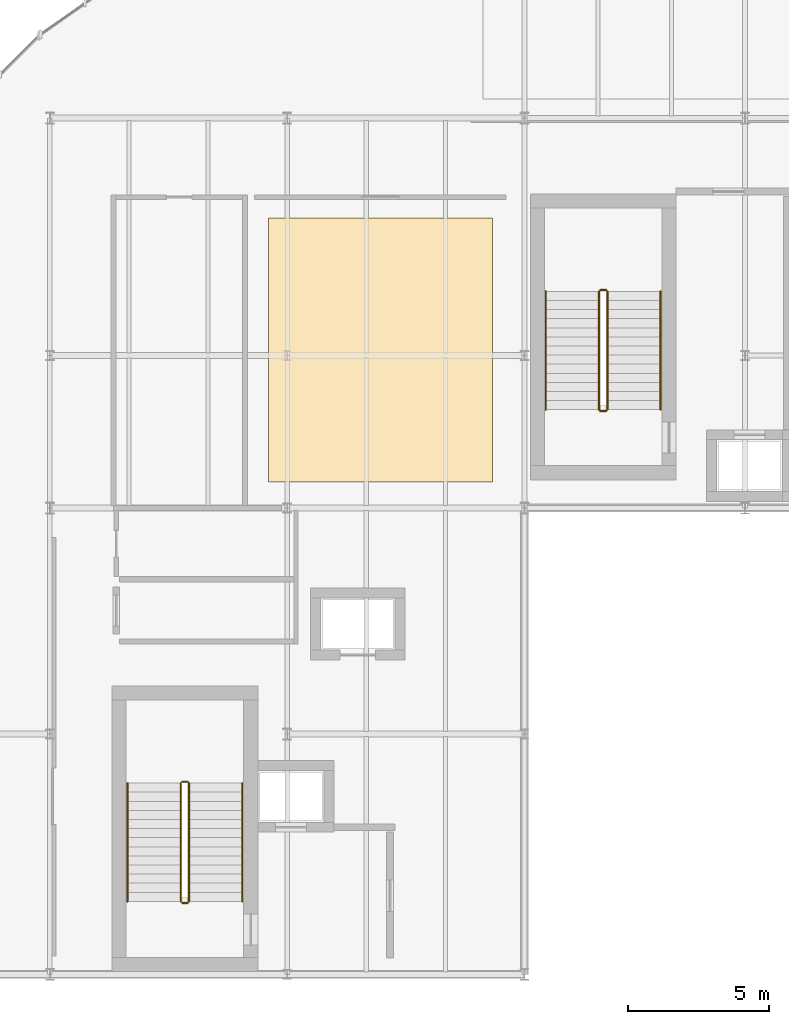
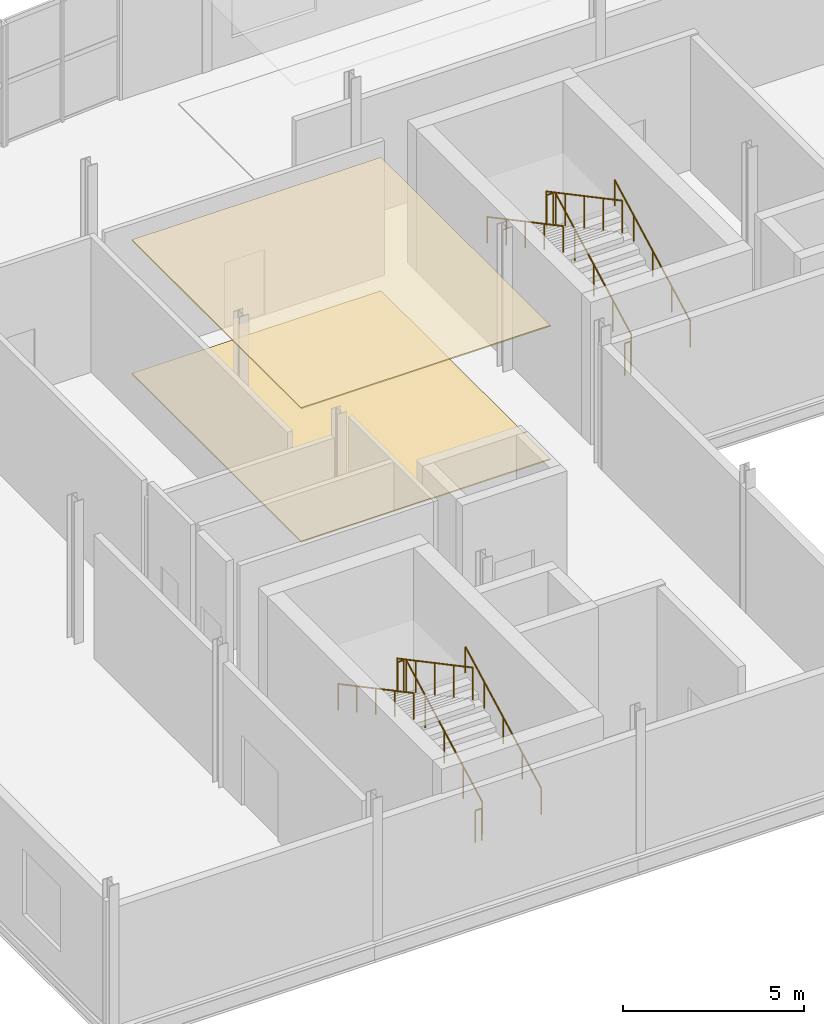
# One storey, part 13 of 15: 12 railings, 2 coverings.
"""IFC4 building model written with IfcOpenShell, lengths in metres."""

from ifc_helpers import new_model, si_unit, direction, frame, origin, origin_2d, place, context, subcontext, project, spatial, polyline, circle, outline, extrude, material, layer, layer_set, type_object, element, save


model = new_model("IFC4")

# Units and contexts
model_context = context("Model", 3, precision=1e-05, world=origin(), true_north=direction((0.0, 1.0)))
body_context = subcontext(model_context, "Body", "Model", "MODEL_VIEW")
ifc_project = project(units=[si_unit("LENGTHUNIT", "METRE"), si_unit("AREAUNIT", "SQUARE_METRE"), si_unit("VOLUMEUNIT", "CUBIC_METRE"), si_unit("PLANEANGLEUNIT", "RADIAN"), si_unit("MASSUNIT", "GRAM", prefix="KILO")], contexts=[model_context])

# Site, building, storey
site_placement = place(None, origin())
site = spatial("IfcSite", under=ifc_project, at=site_placement, CompositionType="ELEMENT")
building_placement = place(site_placement, origin())
building = spatial("IfcBuilding", under=site, at=building_placement, Name="Sefraquen Railside Congress Hotel", CompositionType="ELEMENT")
storey_placement = place(building_placement, frame((0.0, 0.0, 46.800048828125)))
storey = spatial("IfcBuildingStorey", under=building, at=storey_placement, Name="L11", CompositionType="ELEMENT", Elevation=46.800048828125)

# Coverings
ifc_material_1 = material(Name="Acoustic mineral and carved plaster ceiling", Category="gypsum")
ifc_layer_1 = layer(ifc_material_1, 0.0400390625)
ifc_layer_set_1 = layer_set([ifc_layer_1], Name="Acoustic mineral and carved plaster ceiling")
covering_type_1 = type_object("IfcCoveringType", Name="TCV-CEIL-01", PredefinedType="CEILING", material=ifc_layer_set_1)
covering_1_placement = place(storey_placement, frame((0.0, 0.0, 4.5)))
element("IfcCovering", 1, at=covering_1_placement, inside=storey, type_object=covering_type_1, Name="Rotunda Crown Observatory Salon acoustic ceiling finish", PredefinedType="CEILING", context=body_context, shape_type="SweptSolid", body=[
    extrude(outline(polyline([(16.1298828125, 96.929931640625), (24.070068359375, 96.929931640625), (24.070068359375, 106.27001953125), (16.1298828125, 106.27001953125), (16.1298828125, 96.929931640625)])), origin(), (0.0, 0.0, 1.0), 0.0400390625),
])
ifc_material_2 = material(Name="Moroccan zellige ceramic and honed stone flooring", Category="masonry")
ifc_layer_2 = layer(ifc_material_2, 0.0400390625)
ifc_layer_set_2 = layer_set([ifc_layer_2], Name="Moroccan zellige ceramic and honed stone flooring")
covering_type_2 = type_object("IfcCoveringType", Name="TCV-FLR-01", PredefinedType="FLOORING", material=ifc_layer_set_2)
covering_2_placement = place(storey_placement, origin())
element("IfcCovering", 2, at=covering_2_placement, inside=storey, type_object=covering_type_2, Name="Rotunda Crown Observatory Salon architectural floor finish", PredefinedType="FLOORING", context=body_context, shape_type="SweptSolid", body=[
    extrude(outline(polyline([(16.1298828125, 96.929931640625), (24.070068359375, 96.929931640625), (24.070068359375, 106.27001953125), (16.1298828125, 106.27001953125), (16.1298828125, 96.929931640625)])), origin(), (0.0, 0.0, 1.0), 0.0400390625),
])

# Railings
ifc_material_3 = material(Name="Patinated wrought architectural bronze", Category="metal")
railing_type_1 = type_object("IfcRailingType", Name="TRL-BAL-110", PredefinedType="BALUSTRADE", material=ifc_material_3)
railing_1_placement = place(storey_placement, frame((13.330078125, 82.080078125, 0.17138671875)))
element("IfcRailing", 3, at=railing_1_placement, inside=storey, type_object=railing_type_1, Name="L11 ST-H01 stair guard 1", PredefinedType="BALUSTRADE", context=body_context, shape_type="SweptSolid", body=[
    extrude(circle(Radius=0.02392578125, at=origin_2d()), frame((0.0, 0.0, 1.076171875), z_axis=(0.0, 0.882706117232, 0.469925430893), x_axis=(-1.0, 0.0, 0.0)), (0.0, 0.0, 1.0), 4.7421875),
    extrude(circle(Radius=0.02099609375, at=origin_2d()), origin(), (0.0, 0.0, 1.0), 1.052001953125),
    extrude(circle(Radius=0.02099609375, at=origin_2d()), frame((0.0, 1.04638671875, 0.55712890625)), (0.0, 0.0, 1.0), 1.052001953125),
    extrude(circle(Radius=0.02099609375, at=origin_2d()), frame((0.0, 2.093017578125, 1.1142578125)), (0.0, 0.0, 1.0), 1.052001953125),
    extrude(circle(Radius=0.02099609375, at=origin_2d()), frame((0.0, 3.1396484375, 1.67138671875)), (0.0, 0.0, 1.0), 1.052001953125),
    extrude(circle(Radius=0.02099609375, at=origin_2d()), frame((0.0, 4.18603515625, 2.228515625)), (0.0, 0.0, 1.0), 1.052001953125),
])
railing_2_placement = place(storey_placement, frame((13.280029296875, 86.31591796875, 2.39990234375)))
element("IfcRailing", 4, at=railing_2_placement, inside=storey, type_object=railing_type_1, Name="L11 ST-H01 stair guard 2", PredefinedType="BALUSTRADE", context=body_context, shape_type="SweptSolid", body=[
    extrude(circle(Radius=0.02392578125, at=origin_2d()), frame((0.0, 0.0, 1.076171875), z_axis=(-1.0, 0.0, 0.0), x_axis=(0.0, -1.0, 0.0)), (0.0, 0.0, 1.0), 0.199951171875),
    extrude(circle(Radius=0.02099609375, at=origin_2d()), origin(), (0.0, 0.0, 1.0), 1.052001953125),
    extrude(circle(Radius=0.02099609375, at=origin_2d()), frame((-0.199951171875, 0.0, 0.0)), (0.0, 0.0, 1.0), 1.052001953125),
])
railing_3_placement = place(storey_placement, frame((13.030029296875, 86.26611328125, 2.5712890625)))
element("IfcRailing", 5, at=railing_3_placement, inside=storey, type_object=railing_type_1, Name="L11 ST-H01 stair guard 3", PredefinedType="BALUSTRADE", context=body_context, shape_type="SweptSolid", body=[
    extrude(circle(Radius=0.02392578125, at=origin_2d()), frame((0.0, 0.0, 1.076171875), z_axis=(0.0, -0.882684761895, 0.469965542479), x_axis=(1.0, 0.0, 0.0)), (0.0, 0.0, 1.0), 4.742431640625),
    extrude(circle(Radius=0.02099609375, at=origin_2d()), origin(), (0.0, 0.0, 1.0), 1.052001953125),
    extrude(circle(Radius=0.02099609375, at=origin_2d()), frame((0.0, -1.04638671875, 0.55712890625)), (0.0, 0.0, 1.0), 1.052001953125),
    extrude(circle(Radius=0.02099609375, at=origin_2d()), frame((0.0, -2.093017578125, 1.1142578125)), (0.0, 0.0, 1.0), 1.052001953125),
    extrude(circle(Radius=0.02099609375, at=origin_2d()), frame((0.0, -3.1396484375, 1.671630859375)), (0.0, 0.0, 1.0), 1.052001953125),
    extrude(circle(Radius=0.02099609375, at=origin_2d()), frame((0.0, -4.18603515625, 2.228759765625)), (0.0, 0.0, 1.0), 1.052001953125),
])
railing_4_placement = place(storey_placement, frame((13.280029296875, 82.030029296875, 0.0)))
element("IfcRailing", 6, at=railing_4_placement, inside=storey, type_object=railing_type_1, Name="L11 ST-H01 stair guard 4", PredefinedType="BALUSTRADE", context=body_context, shape_type="SweptSolid", body=[
    extrude(circle(Radius=0.02392578125, at=origin_2d()), frame((0.0, 0.0, 1.076171875), z_axis=(-1.0, 0.0, 0.0), x_axis=(0.0, -1.0, 0.0)), (0.0, 0.0, 1.0), 0.199951171875),
    extrude(circle(Radius=0.02099609375, at=origin_2d()), origin(), (0.0, 0.0, 1.0), 1.052001953125),
    extrude(circle(Radius=0.02099609375, at=origin_2d()), frame((-0.199951171875, 0.0, 0.0)), (0.0, 0.0, 1.0), 1.052001953125),
])
railing_5_placement = place(storey_placement, frame((28.1298828125, 99.47998046875, 0.17138671875)))
element("IfcRailing", 7, at=railing_5_placement, inside=storey, type_object=railing_type_1, Name="L11 ST-H02 stair guard 1", PredefinedType="BALUSTRADE", context=body_context, shape_type="SweptSolid", body=[
    extrude(circle(Radius=0.02392578125, at=origin_2d()), frame((0.0, 0.0, 1.076171875), z_axis=(0.0, 0.882706117232, 0.469925430893), x_axis=(-1.0, 0.0, 0.0)), (0.0, 0.0, 1.0), 4.7421875),
    extrude(circle(Radius=0.02099609375, at=origin_2d()), origin(), (0.0, 0.0, 1.0), 1.052001953125),
    extrude(circle(Radius=0.02099609375, at=origin_2d()), frame((0.0, 1.04638671875, 0.55712890625)), (0.0, 0.0, 1.0), 1.052001953125),
    extrude(circle(Radius=0.02099609375, at=origin_2d()), frame((0.0, 2.093017578125, 1.1142578125)), (0.0, 0.0, 1.0), 1.052001953125),
    extrude(circle(Radius=0.02099609375, at=origin_2d()), frame((0.0, 3.1396484375, 1.67138671875)), (0.0, 0.0, 1.0), 1.052001953125),
    extrude(circle(Radius=0.02099609375, at=origin_2d()), frame((0.0, 4.18603515625, 2.228515625)), (0.0, 0.0, 1.0), 1.052001953125),
])
railing_6_placement = place(storey_placement, frame((28.080078125, 103.716064453125, 2.39990234375)))
element("IfcRailing", 8, at=railing_6_placement, inside=storey, type_object=railing_type_1, Name="L11 ST-H02 stair guard 2", PredefinedType="BALUSTRADE", context=body_context, shape_type="SweptSolid", body=[
    extrude(circle(Radius=0.02392578125, at=origin_2d()), frame((0.0, 0.0, 1.076171875), z_axis=(-1.0, 0.0, 0.0), x_axis=(0.0, -1.0, 0.0)), (0.0, 0.0, 1.0), 0.2001953125),
    extrude(circle(Radius=0.02099609375, at=origin_2d()), origin(), (0.0, 0.0, 1.0), 1.052001953125),
    extrude(circle(Radius=0.02099609375, at=origin_2d()), frame((-0.2001953125, 0.0, 0.0)), (0.0, 0.0, 1.0), 1.052001953125),
])
railing_7_placement = place(storey_placement, frame((27.830078125, 103.666015625, 2.5712890625)))
element("IfcRailing", 9, at=railing_7_placement, inside=storey, type_object=railing_type_1, Name="L11 ST-H02 stair guard 3", PredefinedType="BALUSTRADE", context=body_context, shape_type="SweptSolid", body=[
    extrude(circle(Radius=0.02392578125, at=origin_2d()), frame((0.0, 0.0, 1.076171875), z_axis=(0.0, -0.882684761895, 0.469965542479), x_axis=(1.0, 0.0, 0.0)), (0.0, 0.0, 1.0), 4.742431640625),
    extrude(circle(Radius=0.02099609375, at=origin_2d()), origin(), (0.0, 0.0, 1.0), 1.052001953125),
    extrude(circle(Radius=0.02099609375, at=origin_2d()), frame((0.0, -1.04638671875, 0.55712890625)), (0.0, 0.0, 1.0), 1.052001953125),
    extrude(circle(Radius=0.02099609375, at=origin_2d()), frame((0.0, -2.093017578125, 1.1142578125)), (0.0, 0.0, 1.0), 1.052001953125),
    extrude(circle(Radius=0.02099609375, at=origin_2d()), frame((0.0, -3.1396484375, 1.671630859375)), (0.0, 0.0, 1.0), 1.052001953125),
    extrude(circle(Radius=0.02099609375, at=origin_2d()), frame((0.0, -4.18603515625, 2.228759765625)), (0.0, 0.0, 1.0), 1.052001953125),
])
railing_8_placement = place(storey_placement, frame((28.080078125, 99.429931640625, 0.0)))
element("IfcRailing", 10, at=railing_8_placement, inside=storey, type_object=railing_type_1, Name="L11 ST-H02 stair guard 4", PredefinedType="BALUSTRADE", context=body_context, shape_type="SweptSolid", body=[
    extrude(circle(Radius=0.02392578125, at=origin_2d()), frame((0.0, 0.0, 1.076171875), z_axis=(-1.0, 0.0, 0.0), x_axis=(0.0, -1.0, 0.0)), (0.0, 0.0, 1.0), 0.2001953125),
    extrude(circle(Radius=0.02099609375, at=origin_2d()), origin(), (0.0, 0.0, 1.0), 1.052001953125),
    extrude(circle(Radius=0.02099609375, at=origin_2d()), frame((-0.2001953125, 0.0, 0.0)), (0.0, 0.0, 1.0), 1.052001953125),
])
railing_type_2 = type_object("IfcRailingType", Name="TRL-HR-090", PredefinedType="HANDRAIL", material=ifc_material_3)
railing_9_placement = place(storey_placement, frame((15.2099609375, 82.080078125, 0.17138671875)))
element("IfcRailing", 11, at=railing_9_placement, inside=storey, type_object=railing_type_2, Name="L11 ST-H01 stair handrail 1", PredefinedType="HANDRAIL", context=body_context, shape_type="SweptSolid", body=[
    extrude(circle(Radius=0.02392578125, at=origin_2d()), frame((0.0, 0.0, 0.8759765625), z_axis=(0.0, 0.882706117232, 0.469925430893), x_axis=(-1.0, 0.0, 0.0)), (0.0, 0.0, 1.0), 4.7421875),
    extrude(circle(Radius=0.02099609375, at=origin_2d()), origin(), (0.0, 0.0, 1.0), 0.851806640625),
    extrude(circle(Radius=0.02099609375, at=origin_2d()), frame((0.0, 1.04638671875, 0.55712890625)), (0.0, 0.0, 1.0), 0.851806640625),
    extrude(circle(Radius=0.02099609375, at=origin_2d()), frame((0.0, 2.093017578125, 1.1142578125)), (0.0, 0.0, 1.0), 0.851806640625),
    extrude(circle(Radius=0.02099609375, at=origin_2d()), frame((0.0, 3.1396484375, 1.67138671875)), (0.0, 0.0, 1.0), 0.851806640625),
    extrude(circle(Radius=0.02099609375, at=origin_2d()), frame((0.0, 4.18603515625, 2.228515625)), (0.0, 0.0, 1.0), 0.851806640625),
])
railing_10_placement = place(storey_placement, frame((11.14990234375, 86.26611328125, 2.5712890625)))
element("IfcRailing", 12, at=railing_10_placement, inside=storey, type_object=railing_type_2, Name="L11 ST-H01 stair handrail 2", PredefinedType="HANDRAIL", context=body_context, shape_type="SweptSolid", body=[
    extrude(circle(Radius=0.02392578125, at=origin_2d()), frame((0.0, 0.0, 0.8759765625), z_axis=(0.0, -0.882684761895, 0.469965542479), x_axis=(1.0, 0.0, 0.0)), (0.0, 0.0, 1.0), 4.742431640625),
    extrude(circle(Radius=0.02099609375, at=origin_2d()), origin(), (0.0, 0.0, 1.0), 0.851806640625),
    extrude(circle(Radius=0.02099609375, at=origin_2d()), frame((0.0, -1.04638671875, 0.55712890625)), (0.0, 0.0, 1.0), 0.851806640625),
    extrude(circle(Radius=0.02099609375, at=origin_2d()), frame((0.0, -2.093017578125, 1.1142578125)), (0.0, 0.0, 1.0), 0.851806640625),
    extrude(circle(Radius=0.02099609375, at=origin_2d()), frame((0.0, -3.1396484375, 1.671630859375)), (0.0, 0.0, 1.0), 0.851806640625),
    extrude(circle(Radius=0.02099609375, at=origin_2d()), frame((0.0, -4.18603515625, 2.228759765625)), (0.0, 0.0, 1.0), 0.851806640625),
])
railing_11_placement = place(storey_placement, frame((30.010009765625, 99.47998046875, 0.17138671875)))
element("IfcRailing", 13, at=railing_11_placement, inside=storey, type_object=railing_type_2, Name="L11 ST-H02 stair handrail 1", PredefinedType="HANDRAIL", context=body_context, shape_type="SweptSolid", body=[
    extrude(circle(Radius=0.02392578125, at=origin_2d()), frame((0.0, 0.0, 0.8759765625), z_axis=(0.0, 0.882706117232, 0.469925430893), x_axis=(-1.0, 0.0, 0.0)), (0.0, 0.0, 1.0), 4.7421875),
    extrude(circle(Radius=0.02099609375, at=origin_2d()), origin(), (0.0, 0.0, 1.0), 0.851806640625),
    extrude(circle(Radius=0.02099609375, at=origin_2d()), frame((0.0, 1.04638671875, 0.55712890625)), (0.0, 0.0, 1.0), 0.851806640625),
    extrude(circle(Radius=0.02099609375, at=origin_2d()), frame((0.0, 2.093017578125, 1.1142578125)), (0.0, 0.0, 1.0), 0.851806640625),
    extrude(circle(Radius=0.02099609375, at=origin_2d()), frame((0.0, 3.1396484375, 1.67138671875)), (0.0, 0.0, 1.0), 0.851806640625),
    extrude(circle(Radius=0.02099609375, at=origin_2d()), frame((0.0, 4.18603515625, 2.228515625)), (0.0, 0.0, 1.0), 0.851806640625),
])
railing_12_placement = place(storey_placement, frame((25.949951171875, 103.666015625, 2.5712890625)))
element("IfcRailing", 14, at=railing_12_placement, inside=storey, type_object=railing_type_2, Name="L11 ST-H02 stair handrail 2", PredefinedType="HANDRAIL", context=body_context, shape_type="SweptSolid", body=[
    extrude(circle(Radius=0.02392578125, at=origin_2d()), frame((0.0, 0.0, 0.8759765625), z_axis=(0.0, -0.882684761895, 0.469965542479), x_axis=(1.0, 0.0, 0.0)), (0.0, 0.0, 1.0), 4.742431640625),
    extrude(circle(Radius=0.02099609375, at=origin_2d()), origin(), (0.0, 0.0, 1.0), 0.851806640625),
    extrude(circle(Radius=0.02099609375, at=origin_2d()), frame((0.0, -1.04638671875, 0.55712890625)), (0.0, 0.0, 1.0), 0.851806640625),
    extrude(circle(Radius=0.02099609375, at=origin_2d()), frame((0.0, -2.093017578125, 1.1142578125)), (0.0, 0.0, 1.0), 0.851806640625),
    extrude(circle(Radius=0.02099609375, at=origin_2d()), frame((0.0, -3.1396484375, 1.671630859375)), (0.0, 0.0, 1.0), 0.851806640625),
    extrude(circle(Radius=0.02099609375, at=origin_2d()), frame((0.0, -4.18603515625, 2.228759765625)), (0.0, 0.0, 1.0), 0.851806640625),
])

save(model, "model.ifc")
